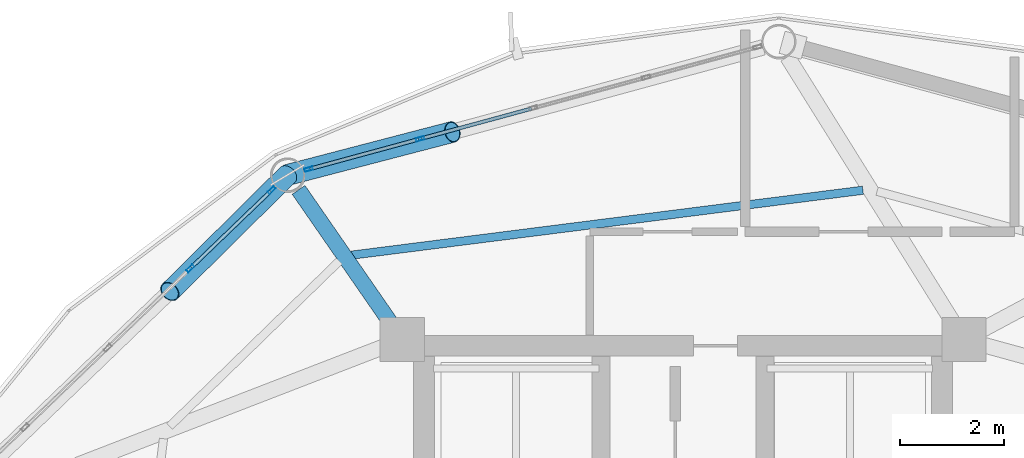
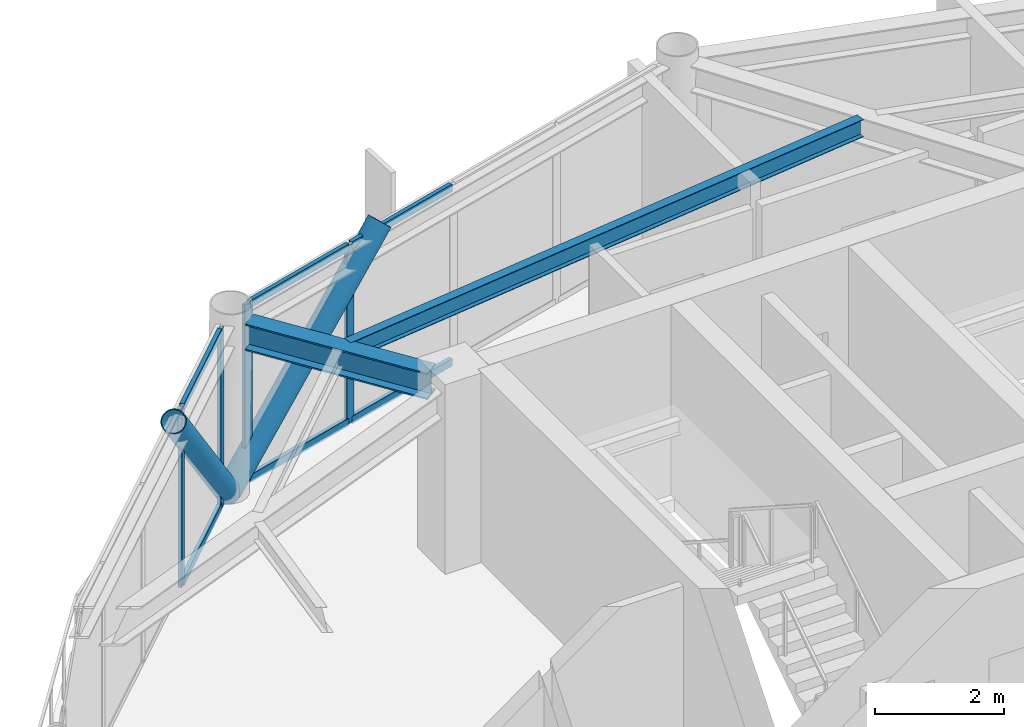
# One storey, part 18 of 28: 12 members, 2 beams, 2 elements without a shape of their own.
"""IFC4 building model written with IfcOpenShell, lengths in metres."""

from ifc_helpers import new_model, si_unit, direction, frame, origin, origin_2d, place, context, subcontext, project, spatial, hollow_rectangle, hollow_circle, i_section, extrude, material, layer, layer_set, material_profile, profile_set, type_object, element, aggregate, save


model = new_model("IFC4")

# Units and contexts
model_context = context("Model", 3, precision=1e-05, world=origin(), true_north=direction((0.0, 1.0)))
body_context = subcontext(model_context, "Body", "Model", "MODEL_VIEW")
ifc_project = project(units=[si_unit("LENGTHUNIT", "METRE"), si_unit("AREAUNIT", "SQUARE_METRE"), si_unit("VOLUMEUNIT", "CUBIC_METRE"), si_unit("PLANEANGLEUNIT", "RADIAN"), si_unit("MASSUNIT", "GRAM", prefix="KILO")], contexts=[model_context])

# Site, building, storey
site_placement = place(None, origin())
site = spatial("IfcSite", under=ifc_project, at=site_placement, CompositionType="ELEMENT")
building_placement = place(site_placement, origin())
building = spatial("IfcBuilding", under=site, at=building_placement, Name="Varnakorn Sky Granary", CompositionType="ELEMENT")
storey_placement = place(building_placement, frame((0.0, 0.0, 214.800048828125)))
storey = spatial("IfcBuildingStorey", under=building, at=storey_placement, Name="L54", CompositionType="ELEMENT", Elevation=214.800048828125)

# Beams
ifc_material_1 = material(Name="Steel S355JR", Category="steel")
ifc_material_profile_1 = material_profile(ifc_material_1, i_section(OverallWidth=0.300048828125, OverallDepth=0.5, WebThickness=0.014404296875, FlangeThickness=0.028076171875, at=origin_2d()), Name="HE 500 B")
ifc_profile_set_1 = profile_set([ifc_material_profile_1], Name="Steel S355JR")
beam_type_1 = type_object("IfcBeamType", Name="BM-RAD-Z4", PredefinedType="BEAM", material=ifc_profile_set_1)
beam_1_placement = place(storey_placement, frame((-2.650634765625, 12.952880859375, 3.10986328125), z_axis=(-0.569283432485, 0.822141334259, 0.0), x_axis=(-0.822141334259, -0.569283432485, 0.0)))
element("IfcBeam", 1, at=beam_1_placement, inside=storey, type_object=beam_type_1, Name="Radial Floor Girder RG05 L54", PredefinedType="BEAM", context=body_context, shape_type="SweptSolid", body=[
    extrude(i_section(OverallWidth=0.300048828125, OverallDepth=0.5, WebThickness=0.014404296875, FlangeThickness=0.028076171875, at=origin_2d()), origin(), (0.0, 0.0, 1.0), 3.11083984375),
])
ifc_material_profile_2 = material_profile(ifc_material_1, i_section(OverallWidth=0.159912109375, OverallDepth=0.330078125, WebThickness=0.007568359375, FlangeThickness=0.011474609375, at=origin_2d()), Name="IPE 330")
ifc_profile_set_2 = profile_set([ifc_material_profile_2], Name="Steel S355JR")
beam_type_2 = type_object("IfcBeamType", Name="BM-SEC-Z4", PredefinedType="BEAM", material=ifc_profile_set_2)
beam_2_placement = place(storey_placement, frame((6.472412109375, 15.50244140625, 3.195068359375), z_axis=(-0.992038206935, -0.125937270024, 0.0), x_axis=(0.125937270024, -0.992038206935, 0.0)))
element("IfcBeam", 2, at=beam_2_placement, inside=storey, type_object=beam_type_2, Name="Secondary Floor Chord Beam MSB04 L54", PredefinedType="BEAM", context=body_context, shape_type="SweptSolid", body=[
    extrude(i_section(OverallWidth=0.159912109375, OverallDepth=0.330078125, WebThickness=0.007568359375, FlangeThickness=0.011474609375, at=origin_2d()), origin(), (0.0, 0.0, 1.0), 9.94873046875),
])

# Curtain wall, members
ifc_material_2 = material(Name="Anodised Bronze Aluminium Alloy 6063-T6", Category="aluminium")
ifc_layer = layer(ifc_material_2, 0.169921875, Name="Anodised Bronze Aluminium Alloy 6063-T6")
ifc_layer_set = layer_set([ifc_layer], Name="Anodised Bronze Aluminium Alloy 6063-T6")
curtain_wall_type = type_object("IfcCurtainWallType", Name="CW-LAB-1", PredefinedType="USERDEFINED", material=ifc_layer_set)
curtain_wall_1_placement = place(storey_placement, origin())
curtain_wall_1 = element("IfcCurtainWall", 3, at=curtain_wall_1_placement, inside=storey, type_object=curtain_wall_type, Name="Unitised Curtain Wall CW5 CW-L54-B04", ObjectType="CURTAIN WALL", PredefinedType="USERDEFINED")
ifc_material_profile_3 = material_profile(ifc_material_2, hollow_rectangle(XDim=0.06494140625, YDim=0.159912109375, WallThickness=0.00341796875, at=origin_2d()), Name="ALU MULL 65x160")
ifc_profile_set_3 = profile_set([ifc_material_profile_3], Name="Anodised Bronze Aluminium Alloy 6063-T6")
member_type_1 = type_object("IfcMemberType", Name="CW-LAB-1-MULL", PredefinedType="MULLION", material=ifc_profile_set_3)
member_1_placement = place(storey_placement, frame((-4.227294921875, 15.908935546875, 0.0), z_axis=(0.0, 0.0, 1.0), x_axis=(-0.262380522882, 0.964964487021, 0.0)))
member_1 = element("IfcMember", 4, at=member_1_placement, type_object=member_type_1, Name="CW5 mullion 1", PredefinedType="MULLION", context=body_context, shape_type="SweptSolid", body=[
    extrude(hollow_rectangle(XDim=0.06494140625, YDim=0.159912109375, WallThickness=0.00341796875, at=origin_2d()), origin(), (0.0, 0.0, 1.0), 3.35986328125),
])
member_2_placement = place(storey_placement, frame((-2.07568359375, 16.493896484375, 0.0), z_axis=(0.0, 0.0, 1.0), x_axis=(-0.262380522882, 0.964964487021, 0.0)))
member_2 = element("IfcMember", 5, at=member_2_placement, type_object=member_type_1, Name="CW5 mullion 2", PredefinedType="MULLION", context=body_context, shape_type="SweptSolid", body=[
    extrude(hollow_rectangle(XDim=0.06494140625, YDim=0.159912109375, WallThickness=0.00341796875, at=origin_2d()), origin(), (0.0, 0.0, 1.0), 3.35986328125),
])

curtain_wall_2_placement = place(storey_placement, origin())
curtain_wall_2 = element("IfcCurtainWall", 6, at=curtain_wall_2_placement, inside=storey, type_object=curtain_wall_type, Name="Unitised Curtain Wall CW5 CW-L54-B05", ObjectType="CURTAIN WALL", PredefinedType="USERDEFINED")
member_3_placement = place(storey_placement, frame((-6.511474609375, 13.99365234375, 0.0), z_axis=(0.0, 0.0, 1.0), x_axis=(-0.693140093091, 0.72080289355, 0.0)))
member_3 = element("IfcMember", 7, at=member_3_placement, type_object=member_type_1, Name="CW5 mullion 4", PredefinedType="MULLION", context=body_context, shape_type="SweptSolid", body=[
    extrude(hollow_rectangle(XDim=0.06494140625, YDim=0.159912109375, WallThickness=0.00341796875, at=origin_2d()), origin(), (0.0, 0.0, 1.0), 3.35986328125),
])
member_4_placement = place(storey_placement, frame((-4.939453125, 15.505126953125, 0.0), z_axis=(0.0, 0.0, 1.0), x_axis=(-0.693140093091, 0.72080289355, 0.0)))
member_4 = element("IfcMember", 8, at=member_4_placement, type_object=member_type_1, Name="CW5 mullion 5", PredefinedType="MULLION", context=body_context, shape_type="SweptSolid", body=[
    extrude(hollow_rectangle(XDim=0.06494140625, YDim=0.159912109375, WallThickness=0.00341796875, at=origin_2d()), origin(), (0.0, 0.0, 1.0), 3.35986328125),
])

# Member
ifc_material_profile_4 = material_profile(ifc_material_2, hollow_rectangle(XDim=0.070068359375, YDim=0.139892578125, WallThickness=0.00341796875, at=origin_2d()), Name="ALU TRAN 70x140")
ifc_profile_set_4 = profile_set([ifc_material_profile_4], Name="Anodised Bronze Aluminium Alloy 6063-T6")
member_type_2 = type_object("IfcMemberType", Name="CW-LAB-1-TRAN", PredefinedType="USERDEFINED", material=ifc_profile_set_4)
member_5_placement = place(storey_placement, frame((-4.196044921875, 15.917236328125, 0.034912109375), z_axis=(0.964956135961, 0.262411233888, 0.0), x_axis=(-0.262411233888, 0.964956135961, 0.0)))
member_5 = element("IfcMember", 9, at=member_5_placement, type_object=member_type_2, Name="CW5 transom 1.1", ObjectType="TRANSOM", PredefinedType="USERDEFINED", context=body_context, shape_type="SweptSolid", body=[
    extrude(hollow_rectangle(XDim=0.070068359375, YDim=0.139892578125, WallThickness=0.00341796875, at=origin_2d()), origin(), (0.0, 0.0, 1.0), 2.1650390625),
])

member_6_placement = place(storey_placement, frame((-4.196044921875, 15.917236328125, 3.324951171875), z_axis=(0.964956135961, 0.262411233888, 0.0), x_axis=(-0.262411233888, 0.964956135961, 0.0)))
member_6 = element("IfcMember", 10, at=member_6_placement, type_object=member_type_2, Name="CW5 transom 1.2", ObjectType="TRANSOM", PredefinedType="USERDEFINED", context=body_context, shape_type="SweptSolid", body=[
    extrude(hollow_rectangle(XDim=0.070068359375, YDim=0.139892578125, WallThickness=0.00341796875, at=origin_2d()), origin(), (0.0, 0.0, 1.0), 2.1650390625),
])

member_7_placement = place(storey_placement, frame((-2.044189453125, 16.50244140625, 0.034912109375), z_axis=(0.964978877916, 0.262327591337, 0.0), x_axis=(-0.262327591337, 0.964978877916, 0.0)))
member_7 = element("IfcMember", 11, at=member_7_placement, type_object=member_type_2, Name="CW5 transom 2.1", ObjectType="TRANSOM", PredefinedType="USERDEFINED", context=body_context, shape_type="SweptSolid", body=[
    extrude(hollow_rectangle(XDim=0.070068359375, YDim=0.139892578125, WallThickness=0.00341796875, at=origin_2d()), origin(), (0.0, 0.0, 1.0), 2.197265625),
])

member_8_placement = place(storey_placement, frame((-2.044189453125, 16.50244140625, 3.324951171875), z_axis=(0.964978877916, 0.262327591337, 0.0), x_axis=(-0.262327591337, 0.964978877916, 0.0)))
member_8 = element("IfcMember", 12, at=member_8_placement, type_object=member_type_2, Name="CW5 transom 2.2", ObjectType="TRANSOM", PredefinedType="USERDEFINED", context=body_context, shape_type="SweptSolid", body=[
    extrude(hollow_rectangle(XDim=0.070068359375, YDim=0.139892578125, WallThickness=0.00341796875, at=origin_2d()), origin(), (0.0, 0.0, 1.0), 2.197265625),
])

aggregate(curtain_wall_1, [member_1, member_2, member_5, member_6, member_7, member_8])

member_9_placement = place(storey_placement, frame((-6.488037109375, 14.01611328125, 0.034912109375), z_axis=(0.720817543904, 0.693124857728, 0.0), x_axis=(-0.693124857728, 0.720817543904, 0.0)))
member_9 = element("IfcMember", 13, at=member_9_placement, type_object=member_type_2, Name="CW5 transom 4.1", ObjectType="TRANSOM", PredefinedType="USERDEFINED", context=body_context, shape_type="SweptSolid", body=[
    extrude(hollow_rectangle(XDim=0.070068359375, YDim=0.139892578125, WallThickness=0.00341796875, at=origin_2d()), origin(), (0.0, 0.0, 1.0), 2.115966796875),
])

member_10_placement = place(storey_placement, frame((-6.488037109375, 14.01611328125, 3.324951171875), z_axis=(0.720817543904, 0.693124857728, 0.0), x_axis=(-0.693124857728, 0.720817543904, 0.0)))
member_10 = element("IfcMember", 14, at=member_10_placement, type_object=member_type_2, Name="CW5 transom 4.2", ObjectType="TRANSOM", PredefinedType="USERDEFINED", context=body_context, shape_type="SweptSolid", body=[
    extrude(hollow_rectangle(XDim=0.070068359375, YDim=0.139892578125, WallThickness=0.00341796875, at=origin_2d()), origin(), (0.0, 0.0, 1.0), 2.115966796875),
])

aggregate(curtain_wall_2, [member_3, member_4, member_9, member_10])

# Members
ifc_material_3 = material(Name="Steel S460M", Category="steel")
ifc_material_profile_5 = material_profile(ifc_material_3, hollow_circle(Radius=0.203125, WallThickness=0.01611328125, at=origin_2d()), Name="CHS 406.4x16")
ifc_profile_set_5 = profile_set([ifc_material_profile_5], Name="Steel S460M")
member_type_3 = type_object("IfcMemberType", Name="MB-DIAG-T4", PredefinedType="BRACE", material=ifc_profile_set_5)
member_11_placement = place(storey_placement, frame((-4.635009765625, 15.798095703125, 0.0), z_axis=(0.663859802554, 0.172950671554, 0.727583828683), x_axis=(-0.252107778306, 0.967699161991, 0.0)))
element("IfcMember", 15, at=member_11_placement, inside=storey, type_object=member_type_3, Name="Perimeter CHS Diagrid Brace DG04 L54", PredefinedType="BRACE", context=body_context, shape_type="SweptSolid", body=[
    extrude(hollow_circle(Radius=0.203125, WallThickness=0.01611328125, at=origin_2d()), origin(), (0.0, 0.0, 1.0), 4.796630859375),
])
member_12_placement = place(storey_placement, frame((-4.635009765625, 15.798095703125, 0.0), z_axis=(-0.480022714172, -0.47538082696, 0.737286418726), x_axis=(0.703662953992, -0.71053391698, 0.0)))
element("IfcMember", 16, at=member_12_placement, inside=storey, type_object=member_type_3, Name="Perimeter CHS Diagrid Brace DG05 L54", PredefinedType="BRACE", context=body_context, shape_type="SweptSolid", body=[
    extrude(hollow_circle(Radius=0.203125, WallThickness=0.01611328125, at=origin_2d()), origin(), (0.0, 0.0, 1.0), 4.733642578125),
])

save(model, "model.ifc")
